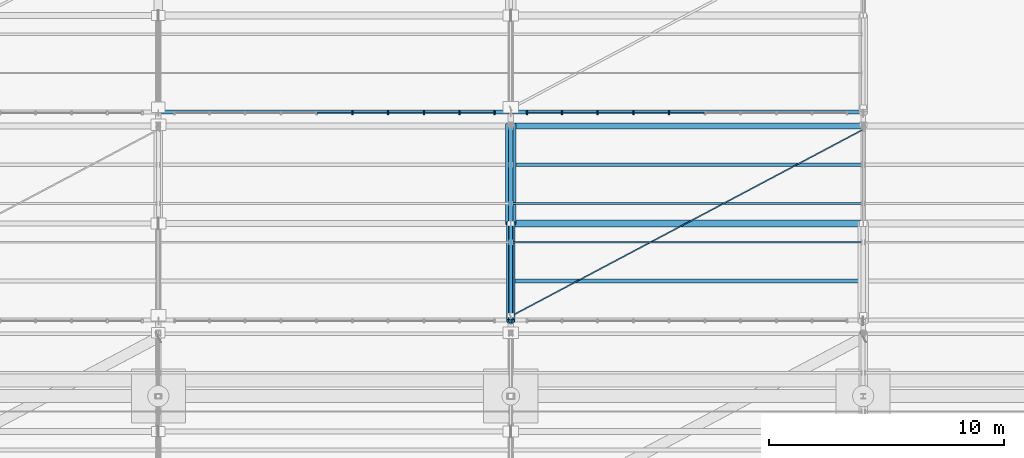
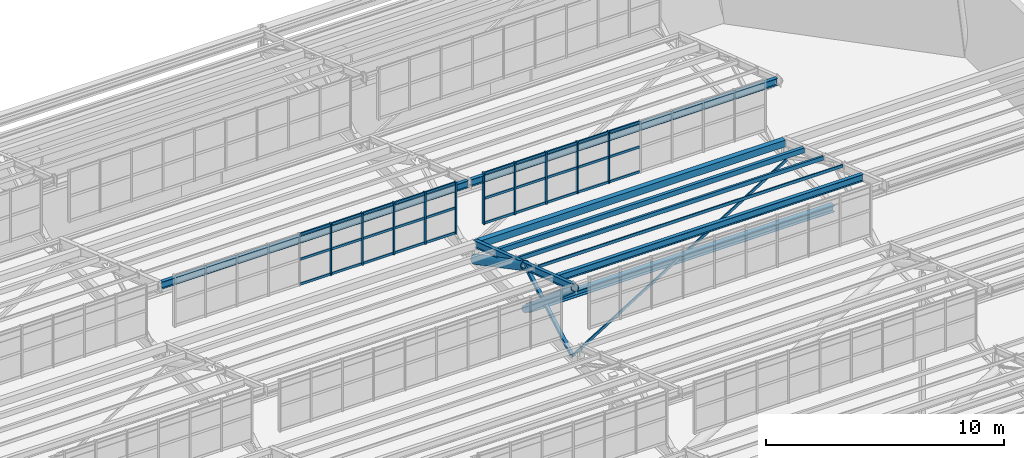
# One storey, part 109 of 285: 45 members, 8 beams, 2 elements without a shape of their own.
"""IFC4 building model written with IfcOpenShell, lengths in metres."""

from ifc_helpers import new_model, si_unit, direction, frame, origin, origin_2d, place, context, subcontext, project, spatial, rectangle, hollow_rectangle, hollow_circle, i_section, extrude, material, material_profile, profile_set, type_object, element, aggregate, save


model = new_model("IFC4")

# Units and contexts
model_context = context("Model", 3, precision=1e-05, world=origin(), true_north=direction((0.0, 1.0)))
body_context = subcontext(model_context, "Body", "Model", "MODEL_VIEW")
ifc_project = project(units=[si_unit("LENGTHUNIT", "METRE"), si_unit("AREAUNIT", "SQUARE_METRE"), si_unit("VOLUMEUNIT", "CUBIC_METRE"), si_unit("PLANEANGLEUNIT", "RADIAN"), si_unit("MASSUNIT", "GRAM", prefix="KILO")], contexts=[model_context])

# Site, building, storey
site_placement = place(None, origin())
site = spatial("IfcSite", under=ifc_project, at=site_placement, CompositionType="ELEMENT")
building_placement = place(site_placement, origin())
building = spatial("IfcBuilding", under=site, at=building_placement, Name="Solanera Park Tramway Depot", CompositionType="ELEMENT")
storey_placement = place(building_placement, origin())
storey = spatial("IfcBuildingStorey", under=building, at=storey_placement, Name="L00", CompositionType="ELEMENT", Elevation=0.0)

# Curtain wall, members
ifc_material_1 = material(Name="Bronze-anodised thermally broken aluminium curtain wall", Category="aluminium")
curtain_wall_type = type_object("IfcCurtainWallType", Name="Sawtooth Clerestory Monitor Curtain Wall", PredefinedType="NOTDEFINED", material=ifc_material_1)
curtain_wall_1_placement = place(storey_placement, origin())
curtain_wall_1 = element("IfcCurtainWall", 1, at=curtain_wall_1_placement, inside=storey, type_object=curtain_wall_type, Name="L00 Sawtooth Clerestory Monitor Curtain Wall #064", PredefinedType="NOTDEFINED")
ifc_material_2 = material(Name="Bronze-anodised structural aluminium 6063-T6", Category="aluminium")
ifc_material_profile_1 = material_profile(ifc_material_2, rectangle(XDim=0.06494140625, YDim=0.14990234375, at=origin_2d()), Name="Curtain Wall Mullion 65x150")
ifc_profile_set_1 = profile_set([ifc_material_profile_1], Name="Bronze-anodised structural aluminium 6063-T6")
member_type_1 = type_object("IfcMemberType", Name="Curtain Wall Mullion 65x150", PredefinedType="MULLION", material=ifc_profile_set_1)
member_1_placement = place(storey_placement, frame((113.260986328125, 126.550048828125, 7.75), z_axis=(0.0, 0.0, 1.0), x_axis=(1.0, 0.0, 0.0)))
member_1 = element("IfcMember", 2, at=member_1_placement, type_object=member_type_1, Name="CW-L00-064 Mullion 6", PredefinedType="MULLION", context=body_context, shape_type="SweptSolid", body=[
    extrude(rectangle(XDim=0.06494140625, YDim=0.14990234375, at=origin_2d()), origin(), (0.0, 0.0, 1.0), 2.6611328125),
])
member_2_placement = place(storey_placement, frame((114.783203125, 126.550048828125, 7.75), z_axis=(0.0, 0.0, 1.0), x_axis=(1.0, 0.0, 0.0)))
member_2 = element("IfcMember", 3, at=member_2_placement, type_object=member_type_1, Name="CW-L00-064 Mullion 7", PredefinedType="MULLION", context=body_context, shape_type="SweptSolid", body=[
    extrude(rectangle(XDim=0.06494140625, YDim=0.14990234375, at=origin_2d()), origin(), (0.0, 0.0, 1.0), 2.6611328125),
])
member_3_placement = place(storey_placement, frame((116.3056640625, 126.550048828125, 7.75), z_axis=(0.0, 0.0, 1.0), x_axis=(1.0, 0.0, 0.0)))
member_3 = element("IfcMember", 4, at=member_3_placement, type_object=member_type_1, Name="CW-L00-064 Mullion 8", PredefinedType="MULLION", context=body_context, shape_type="SweptSolid", body=[
    extrude(rectangle(XDim=0.06494140625, YDim=0.14990234375, at=origin_2d()), origin(), (0.0, 0.0, 1.0), 2.6611328125),
])
member_4_placement = place(storey_placement, frame((117.827880859375, 126.550048828125, 7.75), z_axis=(0.0, 0.0, 1.0), x_axis=(1.0, 0.0, 0.0)))
member_4 = element("IfcMember", 5, at=member_4_placement, type_object=member_type_1, Name="CW-L00-064 Mullion 9", PredefinedType="MULLION", context=body_context, shape_type="SweptSolid", body=[
    extrude(rectangle(XDim=0.06494140625, YDim=0.14990234375, at=origin_2d()), origin(), (0.0, 0.0, 1.0), 2.6611328125),
])
member_5_placement = place(storey_placement, frame((119.3173828125, 126.550048828125, 7.75), z_axis=(0.0, 0.0, 1.0), x_axis=(1.0, 0.0, 0.0)))
member_5 = element("IfcMember", 6, at=member_5_placement, type_object=member_type_1, Name="CW-L00-064 Mullion 10", PredefinedType="MULLION", context=body_context, shape_type="SweptSolid", body=[
    extrude(rectangle(XDim=0.06494140625, YDim=0.14990234375, at=origin_2d()), origin(), (0.0, 0.0, 1.0), 2.6611328125),
])

curtain_wall_2_placement = place(storey_placement, origin())
curtain_wall_2 = element("IfcCurtainWall", 7, at=curtain_wall_2_placement, inside=storey, type_object=curtain_wall_type, Name="L00 Sawtooth Clerestory Monitor Curtain Wall #065", PredefinedType="NOTDEFINED")
member_6_placement = place(storey_placement, frame((120.6826171875, 126.550048828125, 7.75), z_axis=(0.0, 0.0, 1.0), x_axis=(1.0, 0.0, 0.0)))
member_6 = element("IfcMember", 8, at=member_6_placement, type_object=member_type_1, Name="CW-L00-065 Mullion 1", PredefinedType="MULLION", context=body_context, shape_type="SweptSolid", body=[
    extrude(rectangle(XDim=0.06494140625, YDim=0.14990234375, at=origin_2d()), origin(), (0.0, 0.0, 1.0), 2.6611328125),
])
member_7_placement = place(storey_placement, frame((122.172119140625, 126.550048828125, 7.75), z_axis=(0.0, 0.0, 1.0), x_axis=(1.0, 0.0, 0.0)))
member_7 = element("IfcMember", 9, at=member_7_placement, type_object=member_type_1, Name="CW-L00-065 Mullion 2", PredefinedType="MULLION", context=body_context, shape_type="SweptSolid", body=[
    extrude(rectangle(XDim=0.06494140625, YDim=0.14990234375, at=origin_2d()), origin(), (0.0, 0.0, 1.0), 2.6611328125),
])
member_8_placement = place(storey_placement, frame((123.6943359375, 126.550048828125, 7.75), z_axis=(0.0, 0.0, 1.0), x_axis=(1.0, 0.0, 0.0)))
member_8 = element("IfcMember", 10, at=member_8_placement, type_object=member_type_1, Name="CW-L00-065 Mullion 3", PredefinedType="MULLION", context=body_context, shape_type="SweptSolid", body=[
    extrude(rectangle(XDim=0.06494140625, YDim=0.14990234375, at=origin_2d()), origin(), (0.0, 0.0, 1.0), 2.6611328125),
])
member_9_placement = place(storey_placement, frame((125.216796875, 126.550048828125, 7.75), z_axis=(0.0, 0.0, 1.0), x_axis=(1.0, 0.0, 0.0)))
member_9 = element("IfcMember", 11, at=member_9_placement, type_object=member_type_1, Name="CW-L00-065 Mullion 4", PredefinedType="MULLION", context=body_context, shape_type="SweptSolid", body=[
    extrude(rectangle(XDim=0.06494140625, YDim=0.14990234375, at=origin_2d()), origin(), (0.0, 0.0, 1.0), 2.6611328125),
])
member_10_placement = place(storey_placement, frame((126.739013671875, 126.550048828125, 7.75), z_axis=(0.0, 0.0, 1.0), x_axis=(1.0, 0.0, 0.0)))
member_10 = element("IfcMember", 12, at=member_10_placement, type_object=member_type_1, Name="CW-L00-065 Mullion 5", PredefinedType="MULLION", context=body_context, shape_type="SweptSolid", body=[
    extrude(rectangle(XDim=0.06494140625, YDim=0.14990234375, at=origin_2d()), origin(), (0.0, 0.0, 1.0), 2.6611328125),
])

# Member
ifc_material_3 = material(Name="Bronze-anodised structural aluminium 6063-T6", Category="aluminium")
ifc_material_profile_2 = material_profile(ifc_material_3, rectangle(XDim=0.06494140625, YDim=0.1201171875, at=origin_2d()), Name="Curtain Wall Transom 65x120")
ifc_profile_set_2 = profile_set([ifc_material_profile_2], Name="Bronze-anodised structural aluminium 6063-T6")
member_type_2 = type_object("IfcMemberType", Name="Curtain Wall Transom 65x120", PredefinedType="USERDEFINED", material=ifc_profile_set_2)
member_11_placement = place(storey_placement, frame((111.766845703125, 126.550048828125, 7.81005859375), z_axis=(1.0, 0.0, 0.0), x_axis=(0.0, 1.0, 0.0)))
member_11 = element("IfcMember", 13, at=member_11_placement, type_object=member_type_2, Name="CW-L00-064 Transom R1.C5", ObjectType="TRANSOM", PredefinedType="USERDEFINED", context=body_context, shape_type="SweptSolid", body=[
    extrude(rectangle(XDim=0.06494140625, YDim=0.1201171875, at=origin_2d()), origin(), (0.0, 0.0, 1.0), 1.46630859375),
])

member_12_placement = place(storey_placement, frame((113.2890625, 126.550048828125, 7.81005859375), z_axis=(1.0, 0.0, 0.0), x_axis=(0.0, 1.0, 0.0)))
member_12 = element("IfcMember", 14, at=member_12_placement, type_object=member_type_2, Name="CW-L00-064 Transom R1.C6", ObjectType="TRANSOM", PredefinedType="USERDEFINED", context=body_context, shape_type="SweptSolid", body=[
    extrude(rectangle(XDim=0.06494140625, YDim=0.1201171875, at=origin_2d()), origin(), (0.0, 0.0, 1.0), 1.46630859375),
])

member_13_placement = place(storey_placement, frame((114.811279296875, 126.550048828125, 7.81005859375), z_axis=(1.0, 0.0, 0.0), x_axis=(0.0, 1.0, 0.0)))
member_13 = element("IfcMember", 15, at=member_13_placement, type_object=member_type_2, Name="CW-L00-064 Transom R1.C7", ObjectType="TRANSOM", PredefinedType="USERDEFINED", context=body_context, shape_type="SweptSolid", body=[
    extrude(rectangle(XDim=0.06494140625, YDim=0.1201171875, at=origin_2d()), origin(), (0.0, 0.0, 1.0), 1.46630859375),
])

member_14_placement = place(storey_placement, frame((116.33349609375, 126.550048828125, 7.81005859375), z_axis=(1.0, 0.0, 0.0), x_axis=(0.0, 1.0, 0.0)))
member_14 = element("IfcMember", 16, at=member_14_placement, type_object=member_type_2, Name="CW-L00-064 Transom R1.C8", ObjectType="TRANSOM", PredefinedType="USERDEFINED", context=body_context, shape_type="SweptSolid", body=[
    extrude(rectangle(XDim=0.06494140625, YDim=0.1201171875, at=origin_2d()), origin(), (0.0, 0.0, 1.0), 1.46630859375),
])

member_15_placement = place(storey_placement, frame((117.855712890625, 126.550048828125, 7.81005859375), z_axis=(1.0, 0.0, 0.0), x_axis=(0.0, 1.0, 0.0)))
member_15 = element("IfcMember", 17, at=member_15_placement, type_object=member_type_2, Name="CW-L00-064 Transom R1.C9", ObjectType="TRANSOM", PredefinedType="USERDEFINED", context=body_context, shape_type="SweptSolid", body=[
    extrude(rectangle(XDim=0.06494140625, YDim=0.1201171875, at=origin_2d()), origin(), (0.0, 0.0, 1.0), 1.433837890625),
])

member_16_placement = place(storey_placement, frame((111.766845703125, 126.550048828125, 9.08056640625), z_axis=(1.0, 0.0, 0.0), x_axis=(0.0, 1.0, 0.0)))
member_16 = element("IfcMember", 18, at=member_16_placement, type_object=member_type_2, Name="CW-L00-064 Transom R2.C5", ObjectType="TRANSOM", PredefinedType="USERDEFINED", context=body_context, shape_type="SweptSolid", body=[
    extrude(rectangle(XDim=0.06494140625, YDim=0.1201171875, at=origin_2d()), origin(), (0.0, 0.0, 1.0), 1.46630859375),
])

member_17_placement = place(storey_placement, frame((113.2890625, 126.550048828125, 9.08056640625), z_axis=(1.0, 0.0, 0.0), x_axis=(0.0, 1.0, 0.0)))
member_17 = element("IfcMember", 19, at=member_17_placement, type_object=member_type_2, Name="CW-L00-064 Transom R2.C6", ObjectType="TRANSOM", PredefinedType="USERDEFINED", context=body_context, shape_type="SweptSolid", body=[
    extrude(rectangle(XDim=0.06494140625, YDim=0.1201171875, at=origin_2d()), origin(), (0.0, 0.0, 1.0), 1.46630859375),
])

member_18_placement = place(storey_placement, frame((114.811279296875, 126.550048828125, 9.08056640625), z_axis=(1.0, 0.0, 0.0), x_axis=(0.0, 1.0, 0.0)))
member_18 = element("IfcMember", 20, at=member_18_placement, type_object=member_type_2, Name="CW-L00-064 Transom R2.C7", ObjectType="TRANSOM", PredefinedType="USERDEFINED", context=body_context, shape_type="SweptSolid", body=[
    extrude(rectangle(XDim=0.06494140625, YDim=0.1201171875, at=origin_2d()), origin(), (0.0, 0.0, 1.0), 1.46630859375),
])

member_19_placement = place(storey_placement, frame((116.33349609375, 126.550048828125, 9.08056640625), z_axis=(1.0, 0.0, 0.0), x_axis=(0.0, 1.0, 0.0)))
member_19 = element("IfcMember", 21, at=member_19_placement, type_object=member_type_2, Name="CW-L00-064 Transom R2.C8", ObjectType="TRANSOM", PredefinedType="USERDEFINED", context=body_context, shape_type="SweptSolid", body=[
    extrude(rectangle(XDim=0.06494140625, YDim=0.1201171875, at=origin_2d()), origin(), (0.0, 0.0, 1.0), 1.46630859375),
])

member_20_placement = place(storey_placement, frame((117.855712890625, 126.550048828125, 9.08056640625), z_axis=(1.0, 0.0, 0.0), x_axis=(0.0, 1.0, 0.0)))
member_20 = element("IfcMember", 22, at=member_20_placement, type_object=member_type_2, Name="CW-L00-064 Transom R2.C9", ObjectType="TRANSOM", PredefinedType="USERDEFINED", context=body_context, shape_type="SweptSolid", body=[
    extrude(rectangle(XDim=0.06494140625, YDim=0.1201171875, at=origin_2d()), origin(), (0.0, 0.0, 1.0), 1.433837890625),
])

member_21_placement = place(storey_placement, frame((111.766845703125, 126.550048828125, 10.351318359375), z_axis=(1.0, 0.0, 0.0), x_axis=(0.0, 1.0, 0.0)))
member_21 = element("IfcMember", 23, at=member_21_placement, type_object=member_type_2, Name="CW-L00-064 Transom R3.C5", ObjectType="TRANSOM", PredefinedType="USERDEFINED", context=body_context, shape_type="SweptSolid", body=[
    extrude(rectangle(XDim=0.06494140625, YDim=0.1201171875, at=origin_2d()), origin(), (0.0, 0.0, 1.0), 1.46630859375),
])

member_22_placement = place(storey_placement, frame((113.2890625, 126.550048828125, 10.351318359375), z_axis=(1.0, 0.0, 0.0), x_axis=(0.0, 1.0, 0.0)))
member_22 = element("IfcMember", 24, at=member_22_placement, type_object=member_type_2, Name="CW-L00-064 Transom R3.C6", ObjectType="TRANSOM", PredefinedType="USERDEFINED", context=body_context, shape_type="SweptSolid", body=[
    extrude(rectangle(XDim=0.06494140625, YDim=0.1201171875, at=origin_2d()), origin(), (0.0, 0.0, 1.0), 1.46630859375),
])

member_23_placement = place(storey_placement, frame((114.811279296875, 126.550048828125, 10.351318359375), z_axis=(1.0, 0.0, 0.0), x_axis=(0.0, 1.0, 0.0)))
member_23 = element("IfcMember", 25, at=member_23_placement, type_object=member_type_2, Name="CW-L00-064 Transom R3.C7", ObjectType="TRANSOM", PredefinedType="USERDEFINED", context=body_context, shape_type="SweptSolid", body=[
    extrude(rectangle(XDim=0.06494140625, YDim=0.1201171875, at=origin_2d()), origin(), (0.0, 0.0, 1.0), 1.46630859375),
])

member_24_placement = place(storey_placement, frame((116.33349609375, 126.550048828125, 10.351318359375), z_axis=(1.0, 0.0, 0.0), x_axis=(0.0, 1.0, 0.0)))
member_24 = element("IfcMember", 26, at=member_24_placement, type_object=member_type_2, Name="CW-L00-064 Transom R3.C8", ObjectType="TRANSOM", PredefinedType="USERDEFINED", context=body_context, shape_type="SweptSolid", body=[
    extrude(rectangle(XDim=0.06494140625, YDim=0.1201171875, at=origin_2d()), origin(), (0.0, 0.0, 1.0), 1.46630859375),
])

member_25_placement = place(storey_placement, frame((117.855712890625, 126.550048828125, 10.351318359375), z_axis=(1.0, 0.0, 0.0), x_axis=(0.0, 1.0, 0.0)))
member_25 = element("IfcMember", 27, at=member_25_placement, type_object=member_type_2, Name="CW-L00-064 Transom R3.C9", ObjectType="TRANSOM", PredefinedType="USERDEFINED", context=body_context, shape_type="SweptSolid", body=[
    extrude(rectangle(XDim=0.06494140625, YDim=0.1201171875, at=origin_2d()), origin(), (0.0, 0.0, 1.0), 1.433837890625),
])

aggregate(curtain_wall_1, [member_1, member_2, member_3, member_4, member_5, member_11, member_12, member_13, member_14, member_15, member_16, member_17, member_18, member_19, member_20, member_21, member_22, member_23, member_24, member_25])

member_26_placement = place(storey_placement, frame((120.71044921875, 126.550048828125, 7.81005859375), z_axis=(1.0, 0.0, 0.0), x_axis=(0.0, 1.0, 0.0)))
member_26 = element("IfcMember", 28, at=member_26_placement, type_object=member_type_2, Name="CW-L00-065 Transom R1.C1", ObjectType="TRANSOM", PredefinedType="USERDEFINED", context=body_context, shape_type="SweptSolid", body=[
    extrude(rectangle(XDim=0.06494140625, YDim=0.1201171875, at=origin_2d()), origin(), (0.0, 0.0, 1.0), 1.433837890625),
])

member_27_placement = place(storey_placement, frame((122.2001953125, 126.550048828125, 7.81005859375), z_axis=(1.0, 0.0, 0.0), x_axis=(0.0, 1.0, 0.0)))
member_27 = element("IfcMember", 29, at=member_27_placement, type_object=member_type_2, Name="CW-L00-065 Transom R1.C2", ObjectType="TRANSOM", PredefinedType="USERDEFINED", context=body_context, shape_type="SweptSolid", body=[
    extrude(rectangle(XDim=0.06494140625, YDim=0.1201171875, at=origin_2d()), origin(), (0.0, 0.0, 1.0), 1.46630859375),
])

member_28_placement = place(storey_placement, frame((123.722412109375, 126.550048828125, 7.81005859375), z_axis=(1.0, 0.0, 0.0), x_axis=(0.0, 1.0, 0.0)))
member_28 = element("IfcMember", 30, at=member_28_placement, type_object=member_type_2, Name="CW-L00-065 Transom R1.C3", ObjectType="TRANSOM", PredefinedType="USERDEFINED", context=body_context, shape_type="SweptSolid", body=[
    extrude(rectangle(XDim=0.06494140625, YDim=0.1201171875, at=origin_2d()), origin(), (0.0, 0.0, 1.0), 1.46630859375),
])

member_29_placement = place(storey_placement, frame((125.24462890625, 126.550048828125, 7.81005859375), z_axis=(1.0, 0.0, 0.0), x_axis=(0.0, 1.0, 0.0)))
member_29 = element("IfcMember", 31, at=member_29_placement, type_object=member_type_2, Name="CW-L00-065 Transom R1.C4", ObjectType="TRANSOM", PredefinedType="USERDEFINED", context=body_context, shape_type="SweptSolid", body=[
    extrude(rectangle(XDim=0.06494140625, YDim=0.1201171875, at=origin_2d()), origin(), (0.0, 0.0, 1.0), 1.46630859375),
])

member_30_placement = place(storey_placement, frame((126.766845703125, 126.550048828125, 7.81005859375), z_axis=(1.0, 0.0, 0.0), x_axis=(0.0, 1.0, 0.0)))
member_30 = element("IfcMember", 32, at=member_30_placement, type_object=member_type_2, Name="CW-L00-065 Transom R1.C5", ObjectType="TRANSOM", PredefinedType="USERDEFINED", context=body_context, shape_type="SweptSolid", body=[
    extrude(rectangle(XDim=0.06494140625, YDim=0.1201171875, at=origin_2d()), origin(), (0.0, 0.0, 1.0), 1.46630859375),
])

member_31_placement = place(storey_placement, frame((120.71044921875, 126.550048828125, 9.08056640625), z_axis=(1.0, 0.0, 0.0), x_axis=(0.0, 1.0, 0.0)))
member_31 = element("IfcMember", 33, at=member_31_placement, type_object=member_type_2, Name="CW-L00-065 Transom R2.C1", ObjectType="TRANSOM", PredefinedType="USERDEFINED", context=body_context, shape_type="SweptSolid", body=[
    extrude(rectangle(XDim=0.06494140625, YDim=0.1201171875, at=origin_2d()), origin(), (0.0, 0.0, 1.0), 1.433837890625),
])

member_32_placement = place(storey_placement, frame((122.2001953125, 126.550048828125, 9.08056640625), z_axis=(1.0, 0.0, 0.0), x_axis=(0.0, 1.0, 0.0)))
member_32 = element("IfcMember", 34, at=member_32_placement, type_object=member_type_2, Name="CW-L00-065 Transom R2.C2", ObjectType="TRANSOM", PredefinedType="USERDEFINED", context=body_context, shape_type="SweptSolid", body=[
    extrude(rectangle(XDim=0.06494140625, YDim=0.1201171875, at=origin_2d()), origin(), (0.0, 0.0, 1.0), 1.46630859375),
])

member_33_placement = place(storey_placement, frame((123.722412109375, 126.550048828125, 9.08056640625), z_axis=(1.0, 0.0, 0.0), x_axis=(0.0, 1.0, 0.0)))
member_33 = element("IfcMember", 35, at=member_33_placement, type_object=member_type_2, Name="CW-L00-065 Transom R2.C3", ObjectType="TRANSOM", PredefinedType="USERDEFINED", context=body_context, shape_type="SweptSolid", body=[
    extrude(rectangle(XDim=0.06494140625, YDim=0.1201171875, at=origin_2d()), origin(), (0.0, 0.0, 1.0), 1.46630859375),
])

member_34_placement = place(storey_placement, frame((125.24462890625, 126.550048828125, 9.08056640625), z_axis=(1.0, 0.0, 0.0), x_axis=(0.0, 1.0, 0.0)))
member_34 = element("IfcMember", 36, at=member_34_placement, type_object=member_type_2, Name="CW-L00-065 Transom R2.C4", ObjectType="TRANSOM", PredefinedType="USERDEFINED", context=body_context, shape_type="SweptSolid", body=[
    extrude(rectangle(XDim=0.06494140625, YDim=0.1201171875, at=origin_2d()), origin(), (0.0, 0.0, 1.0), 1.46630859375),
])

member_35_placement = place(storey_placement, frame((126.766845703125, 126.550048828125, 9.08056640625), z_axis=(1.0, 0.0, 0.0), x_axis=(0.0, 1.0, 0.0)))
member_35 = element("IfcMember", 37, at=member_35_placement, type_object=member_type_2, Name="CW-L00-065 Transom R2.C5", ObjectType="TRANSOM", PredefinedType="USERDEFINED", context=body_context, shape_type="SweptSolid", body=[
    extrude(rectangle(XDim=0.06494140625, YDim=0.1201171875, at=origin_2d()), origin(), (0.0, 0.0, 1.0), 1.46630859375),
])

member_36_placement = place(storey_placement, frame((120.71044921875, 126.550048828125, 10.351318359375), z_axis=(1.0, 0.0, 0.0), x_axis=(0.0, 1.0, 0.0)))
member_36 = element("IfcMember", 38, at=member_36_placement, type_object=member_type_2, Name="CW-L00-065 Transom R3.C1", ObjectType="TRANSOM", PredefinedType="USERDEFINED", context=body_context, shape_type="SweptSolid", body=[
    extrude(rectangle(XDim=0.06494140625, YDim=0.1201171875, at=origin_2d()), origin(), (0.0, 0.0, 1.0), 1.433837890625),
])

member_37_placement = place(storey_placement, frame((122.2001953125, 126.550048828125, 10.351318359375), z_axis=(1.0, 0.0, 0.0), x_axis=(0.0, 1.0, 0.0)))
member_37 = element("IfcMember", 39, at=member_37_placement, type_object=member_type_2, Name="CW-L00-065 Transom R3.C2", ObjectType="TRANSOM", PredefinedType="USERDEFINED", context=body_context, shape_type="SweptSolid", body=[
    extrude(rectangle(XDim=0.06494140625, YDim=0.1201171875, at=origin_2d()), origin(), (0.0, 0.0, 1.0), 1.46630859375),
])

member_38_placement = place(storey_placement, frame((123.722412109375, 126.550048828125, 10.351318359375), z_axis=(1.0, 0.0, 0.0), x_axis=(0.0, 1.0, 0.0)))
member_38 = element("IfcMember", 40, at=member_38_placement, type_object=member_type_2, Name="CW-L00-065 Transom R3.C3", ObjectType="TRANSOM", PredefinedType="USERDEFINED", context=body_context, shape_type="SweptSolid", body=[
    extrude(rectangle(XDim=0.06494140625, YDim=0.1201171875, at=origin_2d()), origin(), (0.0, 0.0, 1.0), 1.46630859375),
])

member_39_placement = place(storey_placement, frame((125.24462890625, 126.550048828125, 10.351318359375), z_axis=(1.0, 0.0, 0.0), x_axis=(0.0, 1.0, 0.0)))
member_39 = element("IfcMember", 41, at=member_39_placement, type_object=member_type_2, Name="CW-L00-065 Transom R3.C4", ObjectType="TRANSOM", PredefinedType="USERDEFINED", context=body_context, shape_type="SweptSolid", body=[
    extrude(rectangle(XDim=0.06494140625, YDim=0.1201171875, at=origin_2d()), origin(), (0.0, 0.0, 1.0), 1.46630859375),
])

member_40_placement = place(storey_placement, frame((126.766845703125, 126.550048828125, 10.351318359375), z_axis=(1.0, 0.0, 0.0), x_axis=(0.0, 1.0, 0.0)))
member_40 = element("IfcMember", 42, at=member_40_placement, type_object=member_type_2, Name="CW-L00-065 Transom R3.C5", ObjectType="TRANSOM", PredefinedType="USERDEFINED", context=body_context, shape_type="SweptSolid", body=[
    extrude(rectangle(XDim=0.06494140625, YDim=0.1201171875, at=origin_2d()), origin(), (0.0, 0.0, 1.0), 1.46630859375),
])

aggregate(curtain_wall_2, [member_6, member_7, member_8, member_9, member_10, member_26, member_27, member_28, member_29, member_30, member_31, member_32, member_33, member_34, member_35, member_36, member_37, member_38, member_39, member_40])

# Members
ifc_material_4 = material(Name="Steel AS/NZS 1163 Grade C350L0", Category="steel")
ifc_material_profile_3 = material_profile(ifc_material_4, hollow_rectangle(XDim=0.14990234375, YDim=0.14990234375, WallThickness=0.006103515625, at=origin_2d()), Name="150x150x6.0 SHS")
ifc_profile_set_3 = profile_set([ifc_material_profile_3], Name="Steel AS/NZS 1163 Grade C350L0")
member_type_3 = type_object("IfcMemberType", Name="Roof Gantry Compression Strut 150x150x6.0 SHS", PredefinedType="STRUT", material=ifc_profile_set_3)
member_41_placement = place(storey_placement, frame((120.0, 117.949951171875, 6.5), z_axis=(0.0, 0.869215843308, 0.494432824297), x_axis=(-1.0, 0.0, 0.0)))
element("IfcMember", 43, at=member_41_placement, inside=storey, type_object=member_type_3, Name="Sawtooth ROOF TRUSS Strut 150x150x6.0 SHS #0346", PredefinedType="STRUT", context=body_context, shape_type="SweptSolid", body=[
    extrude(hollow_rectangle(XDim=0.14990234375, YDim=0.14990234375, WallThickness=0.006103515625, at=origin_2d()), origin(), (0.0, 0.0, 1.0), 4.487060546875),
])
ifc_material_5 = material(Name="Steel AS/NZS 3679.1 Grade 350", Category="steel")
ifc_material_profile_4 = material_profile(ifc_material_5, i_section(OverallWidth=0.306884765625, OverallDepth=0.314697265625, WebThickness=0.011962890625, FlangeThickness=0.018798828125, at=origin_2d()), Name="310UC118")
ifc_profile_set_4 = profile_set([ifc_material_profile_4], Name="Steel AS/NZS 3679.1 Grade 350")
member_type_4 = type_object("IfcMemberType", Name="Secondary Truss Chord 310UC118", PredefinedType="CHORD", material=ifc_profile_set_4)
member_42_placement = place(storey_placement, frame((120.087890625, 121.85009765625, 6.5), z_axis=(1.0, 0.0, 0.0), x_axis=(0.0, 1.0, 0.0)))
element("IfcMember", 44, at=member_42_placement, inside=storey, type_object=member_type_4, Name="Sawtooth Longitudinal Tie Chord 310UC118 #0364", PredefinedType="CHORD", context=body_context, shape_type="SweptSolid", body=[
    extrude(i_section(OverallWidth=0.306884765625, OverallDepth=0.314697265625, WebThickness=0.011962890625, FlangeThickness=0.018798828125, at=origin_2d()), origin(), (0.0, 0.0, 1.0), 14.82421875),
])

# Beams
ifc_material_6 = material(Name="Steel AS/NZS 3679.1 Grade 350", Category="steel")
ifc_material_profile_5 = material_profile(ifc_material_6, i_section(OverallWidth=0.17138671875, OverallDepth=0.355712890625, WebThickness=0.00732421875, FlangeThickness=0.011474609375, at=origin_2d()), Name="360UB50.7")
ifc_profile_set_5 = profile_set([ifc_material_profile_5], Name="Steel AS/NZS 3679.1 Grade 350")
beam_type_1 = type_object("IfcBeamType", Name="Steel Beam 360UB50.7", PredefinedType="BEAM", material=ifc_profile_set_5)
beam_1_placement = place(storey_placement, frame((120.0, 117.699951171875, 10.10693359375), z_axis=(0.0, 0.948322229475, -0.317308917435), x_axis=(-1.0, 0.0, 0.0)))
element("IfcBeam", 45, at=beam_1_placement, inside=storey, type_object=beam_type_1, Name="Sawtooth ROOF TRUSS Top Rafter 360UB50.7 B08-T9", PredefinedType="BEAM", context=body_context, shape_type="SweptSolid", body=[
    extrude(i_section(OverallWidth=0.17138671875, OverallDepth=0.355712890625, WebThickness=0.00732421875, FlangeThickness=0.011474609375, at=origin_2d()), origin(), (0.0, 0.0, 1.0), 8.80517578125),
])
ifc_material_7 = material(Name="Steel AS/NZS 1163 Grade C350L0", Category="steel")
ifc_material_profile_6 = material_profile(ifc_material_7, hollow_rectangle(XDim=0.050048828125, YDim=0.14990234375, WallThickness=0.0048828125, at=origin_2d()), Name="150x50x5.0 RHS")
ifc_profile_set_6 = profile_set([ifc_material_profile_6], Name="Steel AS/NZS 1163 Grade C350L0")
beam_type_2 = type_object("IfcBeamType", Name="Steel Joist Purlin 150x50x5.0 RHS", PredefinedType="JOIST", material=ifc_profile_set_6)
beam_2_placement = place(storey_placement, frame((120.077880859375, 121.050048828125, 9.1025390625), z_axis=(1.0, 0.0, 0.0), x_axis=(0.0, 1.0, 0.0)))
element("IfcBeam", 46, at=beam_2_placement, inside=storey, type_object=beam_type_2, Name="Sawtooth Roof Purlin 150x50x5.0 RHS B08.3", PredefinedType="JOIST", context=body_context, shape_type="SweptSolid", body=[
    extrude(hollow_rectangle(XDim=0.050048828125, YDim=0.14990234375, WallThickness=0.0048828125, at=origin_2d()), origin(), (0.0, 0.0, 1.0), 14.84130859375),
])
ifc_material_8 = material(Name="Steel AS/NZS 1163 Grade C350L0", Category="steel")
ifc_material_profile_7 = material_profile(ifc_material_8, hollow_rectangle(XDim=0.10009765625, YDim=0.199951171875, WallThickness=0.006103515625, at=origin_2d()), Name="200x100x6.0 RHS")
ifc_profile_set_7 = profile_set([ifc_material_profile_7], Name="Steel AS/NZS 1163 Grade C350L0")
beam_type_3 = type_object("IfcBeamType", Name="Steel Joist Purlin 200x100x6.0 RHS", PredefinedType="JOIST", material=ifc_profile_set_7)
beam_3_placement = place(storey_placement, frame((120.077880859375, 122.699951171875, 8.51708984375), z_axis=(1.0, 0.0, 0.0), x_axis=(0.0, 1.0, 0.0)))
element("IfcBeam", 47, at=beam_3_placement, inside=storey, type_object=beam_type_3, Name="Sawtooth Roof Purlin 200x100x6.0 RHS B08.4", PredefinedType="JOIST", context=body_context, shape_type="SweptSolid", body=[
    extrude(hollow_rectangle(XDim=0.10009765625, YDim=0.199951171875, WallThickness=0.006103515625, at=origin_2d()), origin(), (0.0, 0.0, 1.0), 14.84130859375),
])
ifc_material_9 = material(Name="Steel AS/NZS 1163 Grade C350L0", Category="steel")
ifc_material_profile_8 = material_profile(ifc_material_9, hollow_rectangle(XDim=0.14990234375, YDim=0.25, WallThickness=0.008056640625, at=origin_2d()), Name="250x150x8.0 RHS")
ifc_profile_set_8 = profile_set([ifc_material_profile_8], Name="Steel AS/NZS 1163 Grade C350L0")
beam_type_4 = type_object("IfcBeamType", Name="Steel Joist Purlin 250x150x8.0 RHS", PredefinedType="JOIST", material=ifc_profile_set_8)
beam_4_placement = place(storey_placement, frame((120.077880859375, 124.35009765625, 7.931640625), z_axis=(1.0, 0.0, 0.0), x_axis=(0.0, 1.0, 0.0)))
element("IfcBeam", 48, at=beam_4_placement, inside=storey, type_object=beam_type_4, Name="Sawtooth Roof Purlin 250x150x8.0 RHS B08.5", PredefinedType="JOIST", context=body_context, shape_type="SweptSolid", body=[
    extrude(hollow_rectangle(XDim=0.14990234375, YDim=0.25, WallThickness=0.008056640625, at=origin_2d()), origin(), (0.0, 0.0, 1.0), 14.84130859375),
])
ifc_material_10 = material(Name="Steel AS/NZS 1163 Grade C350L0", Category="steel")
ifc_material_profile_9 = material_profile(ifc_material_10, hollow_rectangle(XDim=0.25, YDim=0.35009765625, WallThickness=0.010009765625, at=origin_2d()), Name="350x250x10.0 RHS")
ifc_profile_set_9 = profile_set([ifc_material_profile_9], Name="Steel AS/NZS 1163 Grade C350L0")
beam_type_5 = type_object("IfcBeamType", Name="Steel Joist Purlin 350x250x10.0 RHS", PredefinedType="JOIST", material=ifc_profile_set_9)
beam_5_placement = place(storey_placement, frame((120.077880859375, 126.0, 7.312744140625), z_axis=(1.0, 0.0, 0.0), x_axis=(0.0, 1.0, 0.0)))
element("IfcBeam", 49, at=beam_5_placement, inside=storey, type_object=beam_type_5, Name="Sawtooth Roof Purlin 350x250x10.0 RHS B08.6", PredefinedType="JOIST", context=body_context, shape_type="SweptSolid", body=[
    extrude(hollow_rectangle(XDim=0.25, YDim=0.35009765625, WallThickness=0.010009765625, at=origin_2d()), origin(), (0.0, 0.0, 1.0), 14.84130859375),
])
ifc_material_11 = material(Name="Steel AS/NZS 3679.1 Grade 350", Category="steel")
ifc_material_profile_10 = material_profile(ifc_material_11, i_section(OverallWidth=0.17138671875, OverallDepth=0.355712890625, WebThickness=0.00732421875, FlangeThickness=0.011474609375, at=origin_2d()), Name="360UB50.7")
ifc_profile_set_10 = profile_set([ifc_material_profile_10], Name="Steel AS/NZS 3679.1 Grade 350")
beam_type_6 = type_object("IfcBeamType", Name="Steel Joist Purlin 360UB50.7", PredefinedType="JOIST", material=ifc_profile_set_10)
beam_6_placement = place(storey_placement, frame((120.077880859375, 119.39990234375, 9.531494140625), z_axis=(1.0, 0.0, 0.0), x_axis=(0.0, 1.0, 0.0)))
element("IfcBeam", 50, at=beam_6_placement, inside=storey, type_object=beam_type_6, Name="Sawtooth Roof Purlin 360UB50.7 B08.2", PredefinedType="JOIST", context=body_context, shape_type="SweptSolid", body=[
    extrude(i_section(OverallWidth=0.17138671875, OverallDepth=0.355712890625, WebThickness=0.00732421875, FlangeThickness=0.011474609375, at=origin_2d()), origin(), (0.0, 0.0, 1.0), 14.84130859375),
])
beam_7_placement = place(storey_placement, frame((105.0966796875, 126.60009765625, 10.08349609375), z_axis=(1.0, 0.0, 0.0), x_axis=(0.0, 1.0, 0.0)))
element("IfcBeam", 51, at=beam_7_placement, inside=storey, type_object=beam_type_6, Name="Sawtooth Roof Purlin 360UB50.7 B09.1", PredefinedType="JOIST", context=body_context, shape_type="SweptSolid", body=[
    extrude(i_section(OverallWidth=0.17138671875, OverallDepth=0.355712890625, WebThickness=0.00732421875, FlangeThickness=0.011474609375, at=origin_2d()), origin(), (0.0, 0.0, 1.0), 14.828369140625),
])
beam_8_placement = place(storey_placement, frame((120.074951171875, 126.60009765625, 10.08349609375), z_axis=(1.0, 0.0, 0.0), x_axis=(0.0, 1.0, 0.0)))
element("IfcBeam", 52, at=beam_8_placement, inside=storey, type_object=beam_type_6, Name="Sawtooth Roof Purlin 360UB50.7 B09.1", PredefinedType="JOIST", context=body_context, shape_type="SweptSolid", body=[
    extrude(i_section(OverallWidth=0.17138671875, OverallDepth=0.355712890625, WebThickness=0.00732421875, FlangeThickness=0.011474609375, at=origin_2d()), origin(), (0.0, 0.0, 1.0), 14.84716796875),
])

# Members
ifc_material_12 = material(Name="Steel AS/NZS 1163 Grade C350L0", Category="steel")
ifc_material_profile_11 = material_profile(ifc_material_12, hollow_rectangle(XDim=0.050048828125, YDim=0.14990234375, WallThickness=0.0048828125, at=origin_2d()), Name="150x50x5.0 RHS")
ifc_profile_set_11 = profile_set([ifc_material_profile_11], Name="Steel AS/NZS 1163 Grade C350L0")
member_type_5 = type_object("IfcMemberType", Name="Truss and Frame Brace 150x50x5.0 RHS", PredefinedType="BRACE", material=ifc_profile_set_11)
member_43_placement = place(storey_placement, frame((120.001953125, 117.89990234375, 6.5), z_axis=(0.883517662461, 0.468397843846, 0.0), x_axis=(-0.468397843846, 0.883517662461, 0.0)))
element("IfcMember", 53, at=member_43_placement, inside=storey, type_object=member_type_5, Name="Roof Plane Cyclonic Brace 150x50x5.0 RHS #0365", PredefinedType="BRACE", context=body_context, shape_type="SweptSolid", body=[
    extrude(hollow_rectangle(XDim=0.050048828125, YDim=0.14990234375, WallThickness=0.0048828125, at=origin_2d()), origin(), (0.0, 0.0, 1.0), 16.97314453125),
])
ifc_material_13 = material(Name="Steel AS/NZS 1163 Grade C350L0", Category="steel")
ifc_material_profile_12 = material_profile(ifc_material_13, hollow_circle(Radius=0.177734375, WallThickness=0.0126953125, at=origin_2d()), Name="355.6x12.7 CHS")
ifc_profile_set_12 = profile_set([ifc_material_profile_12], Name="Steel AS/NZS 1163 Grade C350L0")
member_type_6 = type_object("IfcMemberType", Name="Truss and Frame Brace 355.6x12.7 CHS", PredefinedType="BRACE", material=ifc_profile_set_12)
member_44_placement = place(storey_placement, frame((120.0, 121.85009765625, 6.5), z_axis=(0.0, -0.754775645554, 0.655983021791), x_axis=(1.0, 0.0, 0.0)))
element("IfcMember", 54, at=member_44_placement, inside=storey, type_object=member_type_6, Name="Sawtooth ROOF TRUSS Web Brace 355.6x12.7 CHS #0344", PredefinedType="BRACE", context=body_context, shape_type="SweptSolid", body=[
    extrude(hollow_circle(Radius=0.177734375, WallThickness=0.0126953125, at=origin_2d()), origin(), (0.0, 0.0, 1.0), 5.49853515625),
])
ifc_material_14 = material(Name="Steel AS/NZS 1163 Grade C350L0", Category="steel")
ifc_material_profile_13 = material_profile(ifc_material_14, hollow_circle(Radius=0.228515625, WallThickness=0.0126953125, at=origin_2d()), Name="457.0x12.7 CHS")
ifc_profile_set_13 = profile_set([ifc_material_profile_13], Name="Steel AS/NZS 1163 Grade C350L0")
member_type_7 = type_object("IfcMemberType", Name="Truss and Frame Brace 457.0x12.7 CHS", PredefinedType="BRACE", material=ifc_profile_set_13)
member_45_placement = place(storey_placement, frame((120.0, 126.050048828125, 6.5), z_axis=(0.0, -0.884222622593, 0.467065684561), x_axis=(1.0, 0.0, 0.0)))
element("IfcMember", 55, at=member_45_placement, inside=storey, type_object=member_type_7, Name="Sawtooth ROOF TRUSS Diagonal 457.0x12.7 CHS #0345", PredefinedType="BRACE", context=body_context, shape_type="SweptSolid", body=[
    extrude(hollow_circle(Radius=0.228515625, WallThickness=0.0126953125, at=origin_2d()), origin(), (0.0, 0.0, 1.0), 4.75),
])

save(model, "model.ifc")
